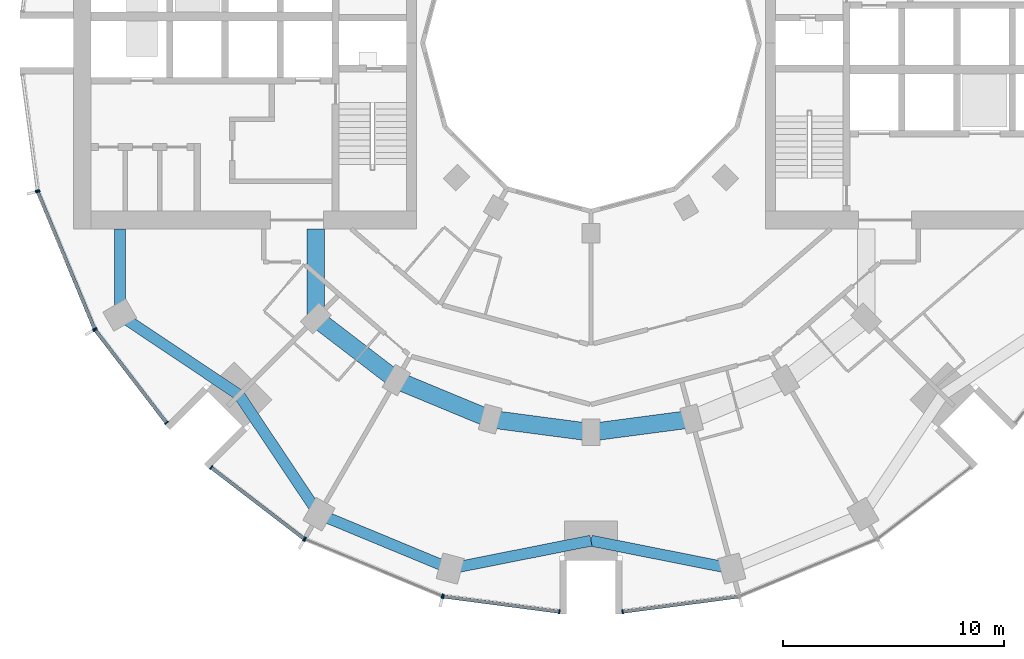
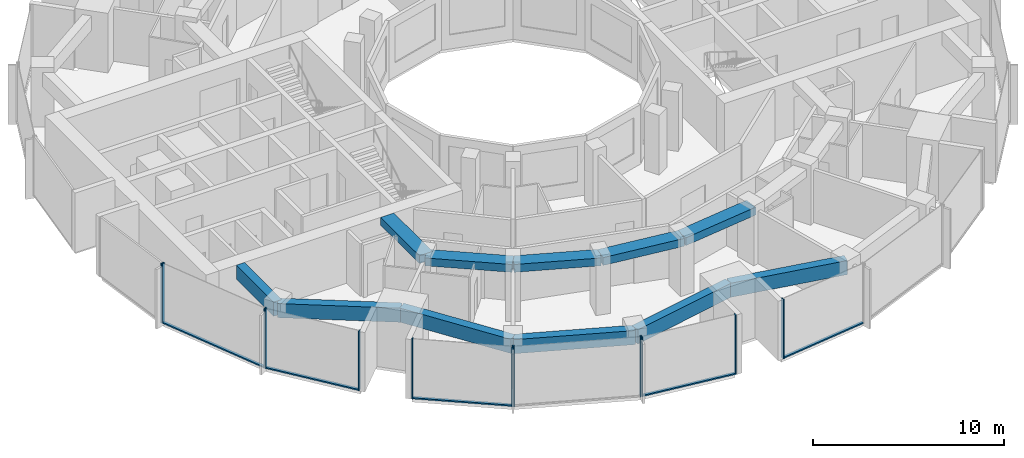
# One storey, part 2 of 15: 17 members, 11 beams, 7 elements without a shape of their own.
"""IFC4 building model written with IfcOpenShell, lengths in metres."""

from ifc_helpers import new_model, si_unit, direction, frame, origin, origin_2d, place, context, subcontext, project, spatial, rectangle, extrude, material, layer, layer_set, material_profile, profile_set, type_object, element, aggregate, save


model = new_model("IFC4")

# Units and contexts
model_context = context("Model", 3, precision=1e-05, world=origin(), true_north=direction((0.0, 1.0)))
body_context = subcontext(model_context, "Body", "Model", "MODEL_VIEW")
ifc_project = project(units=[si_unit("LENGTHUNIT", "METRE"), si_unit("AREAUNIT", "SQUARE_METRE"), si_unit("VOLUMEUNIT", "CUBIC_METRE"), si_unit("PLANEANGLEUNIT", "RADIAN"), si_unit("MASSUNIT", "GRAM", prefix="KILO")], contexts=[model_context])

# Site, building, storey
site_placement = place(None, origin())
site = spatial("IfcSite", under=ifc_project, at=site_placement, CompositionType="ELEMENT")
building_placement = place(site_placement, origin())
building = spatial("IfcBuilding", under=site, at=building_placement, Name="Torre Brocal", CompositionType="ELEMENT")
storey_placement = place(building_placement, frame((0.0, 0.0, 101.39990234375)))
storey = spatial("IfcBuildingStorey", under=building, at=storey_placement, Name="L23", CompositionType="ELEMENT", Elevation=101.39990234375)

# Curtain wall, members
ifc_material_1 = material(Name="Aluminium and glass", Category="aluminium")
ifc_layer_1 = layer(ifc_material_1, 0.199951171875)
ifc_layer_set_1 = layer_set([ifc_layer_1], Name="Aluminium and glass")
curtain_wall_type_1 = type_object("IfcCurtainWallType", Name="CW-1 CURTAIN WALL 3800 HIGH", PredefinedType="NOTDEFINED", material=ifc_layer_set_1)
curtain_wall_1_placement = place(storey_placement, origin())
curtain_wall_1 = element("IfcCurtainWall", 1, at=curtain_wall_1_placement, inside=storey, type_object=curtain_wall_type_1, Name="CW-1 RUN 14", PredefinedType="NOTDEFINED")
ifc_material_2 = material(Name="Aluminium, dark anodised", Category="aluminium")
ifc_material_profile_1 = material_profile(ifc_material_2, rectangle(XDim=0.199951171875, YDim=0.06005859375, at=origin_2d()), Name="CW-1 MULLION 60X200")
ifc_profile_set_1 = profile_set([ifc_material_profile_1], Name="Aluminium, dark anodised")
member_type_1 = type_object("IfcMemberType", Name="CW-1 MULLION 60X200", PredefinedType="MULLION", material=ifc_profile_set_1)
member_1_placement = place(storey_placement, frame((54.994873046875, 68.26904296875, 0.0), z_axis=(0.0, 0.0, 1.0), x_axis=(0.923879532525, 0.382683432333, 0.0)))
member_1 = element("IfcMember", 2, at=member_1_placement, type_object=member_type_1, Name="CW1-1 mullion 1", PredefinedType="MULLION", context=body_context, shape_type="SweptSolid", body=[
    extrude(rectangle(XDim=0.199951171875, YDim=0.06005859375, at=origin_2d()), origin(), (0.0, 0.0, 1.0), 3.800048828125),
])
member_2_placement = place(storey_placement, frame((57.559326171875, 62.078125, 0.0), z_axis=(0.0, 0.0, 1.0), x_axis=(0.923879532525, 0.382683432333, 0.0)))
member_2 = element("IfcMember", 3, at=member_2_placement, type_object=member_type_1, Name="CW1-1 mullion 2", PredefinedType="MULLION", context=body_context, shape_type="SweptSolid", body=[
    extrude(rectangle(XDim=0.199951171875, YDim=0.06005859375, at=origin_2d()), origin(), (0.0, 0.0, 1.0), 3.800048828125),
])

curtain_wall_2_placement = place(storey_placement, origin())
curtain_wall_2 = element("IfcCurtainWall", 4, at=curtain_wall_2_placement, inside=storey, type_object=curtain_wall_type_1, Name="CW-1 RUN 15", PredefinedType="NOTDEFINED")
member_3_placement = place(storey_placement, frame((57.5888671875, 62.026611328125, 0.0), z_axis=(0.0, 0.0, 1.0), x_axis=(0.793353340259, 0.60876142905, 0.0)))
member_3 = element("IfcMember", 5, at=member_3_placement, type_object=member_type_1, Name="CW1-1 mullion 1", PredefinedType="MULLION", context=body_context, shape_type="SweptSolid", body=[
    extrude(rectangle(XDim=0.199951171875, YDim=0.06005859375, at=origin_2d()), origin(), (0.0, 0.0, 1.0), 3.800048828125),
])
member_4_placement = place(storey_placement, frame((60.80859375, 57.83056640625, 0.0), z_axis=(0.0, 0.0, 1.0), x_axis=(0.793353340259, 0.60876142905, 0.0)))
member_4 = element("IfcMember", 6, at=member_4_placement, type_object=member_type_1, Name="CW1-1 mullion 2", PredefinedType="MULLION", context=body_context, shape_type="SweptSolid", body=[
    extrude(rectangle(XDim=0.199951171875, YDim=0.06005859375, at=origin_2d()), origin(), (0.0, 0.0, 1.0), 3.800048828125),
])

curtain_wall_3_placement = place(storey_placement, origin())
curtain_wall_3 = element("IfcCurtainWall", 7, at=curtain_wall_3_placement, inside=storey, type_object=curtain_wall_type_1, Name="CW-1 RUN 16", PredefinedType="NOTDEFINED")
member_5_placement = place(storey_placement, frame((62.83056640625, 55.80859375, 0.0), z_axis=(0.0, 0.0, 1.0), x_axis=(0.60876142905, 0.793353340259, 0.0)))
member_5 = element("IfcMember", 8, at=member_5_placement, type_object=member_type_1, Name="CW1-1 mullion 1", PredefinedType="MULLION", context=body_context, shape_type="SweptSolid", body=[
    extrude(rectangle(XDim=0.199951171875, YDim=0.06005859375, at=origin_2d()), origin(), (0.0, 0.0, 1.0), 3.800048828125),
])
member_6_placement = place(storey_placement, frame((67.026611328125, 52.5888671875, 0.0), z_axis=(0.0, 0.0, 1.0), x_axis=(0.60876142905, 0.793353340259, 0.0)))
member_6 = element("IfcMember", 9, at=member_6_placement, type_object=member_type_1, Name="CW1-1 mullion 2", PredefinedType="MULLION", context=body_context, shape_type="SweptSolid", body=[
    extrude(rectangle(XDim=0.199951171875, YDim=0.06005859375, at=origin_2d()), origin(), (0.0, 0.0, 1.0), 3.800048828125),
])

curtain_wall_4_placement = place(storey_placement, origin())
curtain_wall_4 = element("IfcCurtainWall", 10, at=curtain_wall_4_placement, inside=storey, type_object=curtain_wall_type_1, Name="CW-1 RUN 17", PredefinedType="NOTDEFINED")
member_7_placement = place(storey_placement, frame((67.078125, 52.559326171875, 0.0), z_axis=(0.0, 0.0, 1.0), x_axis=(0.382683432333, 0.923879532525, 0.0)))
member_7 = element("IfcMember", 11, at=member_7_placement, type_object=member_type_1, Name="CW1-1 mullion 1", PredefinedType="MULLION", context=body_context, shape_type="SweptSolid", body=[
    extrude(rectangle(XDim=0.199951171875, YDim=0.06005859375, at=origin_2d()), origin(), (0.0, 0.0, 1.0), 3.800048828125),
])
member_8_placement = place(storey_placement, frame((73.26904296875, 49.994873046875, 0.0), z_axis=(0.0, 0.0, 1.0), x_axis=(0.382683432333, 0.923879532525, 0.0)))
member_8 = element("IfcMember", 12, at=member_8_placement, type_object=member_type_1, Name="CW1-1 mullion 2", PredefinedType="MULLION", context=body_context, shape_type="SweptSolid", body=[
    extrude(rectangle(XDim=0.199951171875, YDim=0.06005859375, at=origin_2d()), origin(), (0.0, 0.0, 1.0), 3.800048828125),
])
aggregate(curtain_wall_4, [member_7, member_8])

curtain_wall_5_placement = place(storey_placement, origin())
curtain_wall_5 = element("IfcCurtainWall", 13, at=curtain_wall_5_placement, inside=storey, type_object=curtain_wall_type_1, Name="CW-1 RUN 18", PredefinedType="NOTDEFINED")
member_9_placement = place(storey_placement, frame((73.32666015625, 49.9794921875, 0.0), z_axis=(0.0, 0.0, 1.0), x_axis=(0.13052619222, 0.991444861374, 0.0)))
member_9 = element("IfcMember", 14, at=member_9_placement, type_object=member_type_1, Name="CW1-1 mullion 1", PredefinedType="MULLION", context=body_context, shape_type="SweptSolid", body=[
    extrude(rectangle(XDim=0.199951171875, YDim=0.06005859375, at=origin_2d()), origin(), (0.0, 0.0, 1.0), 3.800048828125),
])
member_10_placement = place(storey_placement, frame((78.5703125, 49.2890625, 0.0), z_axis=(0.0, 0.0, 1.0), x_axis=(0.13052619222, 0.991444861374, 0.0)))
member_10 = element("IfcMember", 15, at=member_10_placement, type_object=member_type_1, Name="CW1-1 mullion 2", PredefinedType="MULLION", context=body_context, shape_type="SweptSolid", body=[
    extrude(rectangle(XDim=0.199951171875, YDim=0.06005859375, at=origin_2d()), origin(), (0.0, 0.0, 1.0), 3.800048828125),
])

# Curtain wall, member
curtain_wall_6_placement = place(storey_placement, origin())
curtain_wall_6 = element("IfcCurtainWall", 16, at=curtain_wall_6_placement, inside=storey, type_object=curtain_wall_type_1, Name="CW-1 RUN 19", PredefinedType="NOTDEFINED")
member_11_placement = place(storey_placement, frame((81.4296875, 49.2890625, 0.0), z_axis=(0.0, 0.0, 1.0), x_axis=(-0.13052619222, 0.991444861374, 0.0)))
member_11 = element("IfcMember", 17, at=member_11_placement, type_object=member_type_1, Name="CW1-1 mullion 1", PredefinedType="MULLION", context=body_context, shape_type="SweptSolid", body=[
    extrude(rectangle(XDim=0.199951171875, YDim=0.06005859375, at=origin_2d()), origin(), (0.0, 0.0, 1.0), 3.800048828125),
])

# Member
ifc_material_3 = material(Name="Aluminium, dark anodised", Category="aluminium")
ifc_material_profile_2 = material_profile(ifc_material_3, rectangle(XDim=0.159912109375, YDim=0.080078125, at=origin_2d()), Name="CW-1 TRANSOM 160X80")
ifc_profile_set_2 = profile_set([ifc_material_profile_2], Name="Aluminium, dark anodised")
member_type_2 = type_object("IfcMemberType", Name="CW-1 TRANSOM 160X80", PredefinedType="USERDEFINED", material=ifc_profile_set_2)
member_12_placement = place(storey_placement, frame((55.00634765625, 68.241455078125, 0.0400390625), z_axis=(0.38266457234, -0.923887344364, 0.0), x_axis=(0.923887344364, 0.38266457234, 0.0)))
member_12 = element("IfcMember", 18, at=member_12_placement, type_object=member_type_2, Name="CW1-1 transom 1.1", ObjectType="TRANSOM", PredefinedType="USERDEFINED", context=body_context, shape_type="SweptSolid", body=[
    extrude(rectangle(XDim=0.159912109375, YDim=0.080078125, at=origin_2d()), origin(), (0.0, 0.0, 1.0), 6.640869140625),
])

aggregate(curtain_wall_1, [member_1, member_2, member_12])

member_13_placement = place(storey_placement, frame((57.607177734375, 62.0029296875, 0.0400390625), z_axis=(0.60874908096, -0.79336281513, 0.0), x_axis=(0.79336281513, 0.60874908096, 0.0)))
member_13 = element("IfcMember", 19, at=member_13_placement, type_object=member_type_2, Name="CW1-1 transom 1.1", ObjectType="TRANSOM", PredefinedType="USERDEFINED", context=body_context, shape_type="SweptSolid", body=[
    extrude(rectangle(XDim=0.159912109375, YDim=0.080078125, at=origin_2d()), origin(), (0.0, 0.0, 1.0), 5.22900390625),
])

aggregate(curtain_wall_2, [member_3, member_4, member_13])

member_14_placement = place(storey_placement, frame((62.8544921875, 55.790283203125, 0.0400390625), z_axis=(0.79336281513, -0.60874908096, 0.0), x_axis=(0.60874908096, 0.79336281513, 0.0)))
member_14 = element("IfcMember", 20, at=member_14_placement, type_object=member_type_2, Name="CW1-1 transom 1.1", ObjectType="TRANSOM", PredefinedType="USERDEFINED", context=body_context, shape_type="SweptSolid", body=[
    extrude(rectangle(XDim=0.159912109375, YDim=0.080078125, at=origin_2d()), origin(), (0.0, 0.0, 1.0), 5.22900390625),
])

aggregate(curtain_wall_3, [member_5, member_6, member_14])

member_15_placement = place(storey_placement, frame((73.356201171875, 49.9755859375, 0.0400390625), z_axis=(0.991442690863, -0.130542677827, 0.0), x_axis=(0.130542677827, 0.991442690863, 0.0)))
member_15 = element("IfcMember", 21, at=member_15_placement, type_object=member_type_2, Name="CW1-1 transom 1.1", ObjectType="TRANSOM", PredefinedType="USERDEFINED", context=body_context, shape_type="SweptSolid", body=[
    extrude(rectangle(XDim=0.159912109375, YDim=0.080078125, at=origin_2d()), origin(), (0.0, 0.0, 1.0), 5.22900390625),
])

aggregate(curtain_wall_5, [member_9, member_10, member_15])

member_16_placement = place(storey_placement, frame((81.45947265625, 49.29296875, 0.0400390625), z_axis=(0.991442690863, 0.130542677827, 0.0), x_axis=(-0.130542677827, 0.991442690863, 0.0)))
member_16 = element("IfcMember", 22, at=member_16_placement, type_object=member_type_2, Name="CW1-1 transom 1.1", ObjectType="TRANSOM", PredefinedType="USERDEFINED", context=body_context, shape_type="SweptSolid", body=[
    extrude(rectangle(XDim=0.159912109375, YDim=0.080078125, at=origin_2d()), origin(), (0.0, 0.0, 1.0), 5.22900390625),
])

aggregate(curtain_wall_6, [member_11, member_16])

# Curtain wall, member
ifc_material_4 = material(Name="Aluminium and glass", Category="aluminium")
ifc_layer_2 = layer(ifc_material_4, 0.199951171875)
ifc_layer_set_2 = layer_set([ifc_layer_2], Name="Aluminium and glass")
curtain_wall_type_2 = type_object("IfcCurtainWallType", Name="CW-1B CURTAIN WALL 3800 HIGH", PredefinedType="NOTDEFINED", material=ifc_layer_set_2)
curtain_wall_7_placement = place(storey_placement, origin())
curtain_wall_7 = element("IfcCurtainWall", 23, at=curtain_wall_7_placement, inside=storey, type_object=curtain_wall_type_2, Name="CW-1B RUN 13", PredefinedType="NOTDEFINED")
ifc_material_5 = material(Name="Aluminium, dark anodised", Category="aluminium")
ifc_material_profile_3 = material_profile(ifc_material_5, rectangle(XDim=0.199951171875, YDim=0.06005859375, at=origin_2d()), Name="CW-1B MULLION 60X200")
ifc_profile_set_3 = profile_set([ifc_material_profile_3], Name="Aluminium, dark anodised")
member_type_3 = type_object("IfcMemberType", Name="CW-1B MULLION 60X200", PredefinedType="MULLION", material=ifc_profile_set_3)
member_17_placement = place(storey_placement, frame((54.9794921875, 68.32666015625, 0.0), z_axis=(0.0, 0.0, 1.0), x_axis=(0.991444861374, 0.13052619222, 0.0)))
member_17 = element("IfcMember", 24, at=member_17_placement, type_object=member_type_3, Name="CW1B-1 mullion 2", PredefinedType="MULLION", context=body_context, shape_type="SweptSolid", body=[
    extrude(rectangle(XDim=0.199951171875, YDim=0.06005859375, at=origin_2d()), origin(), (0.0, 0.0, 1.0), 3.800048828125),
])
aggregate(curtain_wall_7, [member_17])

# Beams
ifc_material_6 = material(Name="Concrete C50", Category="concrete")
ifc_material_profile_4 = material_profile(ifc_material_6, rectangle(XDim=0.800048828125, YDim=0.5, at=origin_2d()), Name="RC 800X500")
ifc_profile_set_4 = profile_set([ifc_material_profile_4], Name="Concrete C50")
beam_type_1 = type_object("IfcBeamType", Name="RC BEAM 800X500 C50 TOP 3480", PredefinedType="BEAM", material=ifc_profile_set_4)
beam_1_placement = place(storey_placement, frame((67.554931640625, 62.554931640625, 3.22998046875), z_axis=(0.0, 1.0, 0.0), x_axis=(-1.0, 0.0, 0.0)))
element("IfcBeam", 25, at=beam_1_placement, inside=storey, type_object=beam_type_1, Name="Beam BT-19", PredefinedType="BEAM", context=body_context, shape_type="SweptSolid", body=[
    extrude(rectangle(XDim=0.800048828125, YDim=0.5, at=origin_2d()), origin(), (0.0, 0.0, 1.0), 4.045166015625),
])
beam_2_placement = place(storey_placement, frame((67.554931640625, 62.554931640625, 3.22998046875), z_axis=(0.793358265959, -0.6087550097, 0.0), x_axis=(0.6087550097, 0.793358265959, 0.0)))
element("IfcBeam", 26, at=beam_2_placement, inside=storey, type_object=beam_type_1, Name="Beam BT-19", PredefinedType="BEAM", context=body_context, shape_type="SweptSolid", body=[
    extrude(rectangle(XDim=0.800048828125, YDim=0.5, at=origin_2d()), origin(), (0.0, 0.0, 1.0), 4.594482421875),
])
beam_3_placement = place(storey_placement, frame((71.199951171875, 59.758056640625, 3.22998046875), z_axis=(0.923878240166, -0.382686552348, 0.0), x_axis=(0.382686552348, 0.923878240166, 0.0)))
element("IfcBeam", 27, at=beam_3_placement, inside=storey, type_object=beam_type_1, Name="Beam BT-19", PredefinedType="BEAM", context=body_context, shape_type="SweptSolid", body=[
    extrude(rectangle(XDim=0.800048828125, YDim=0.5, at=origin_2d()), origin(), (0.0, 0.0, 1.0), 4.5947265625),
])
for number, where, z_axis, x_axis, name in (
    (28, (75.44482421875, 57.999755859375, 3.22998046875), (0.991440544449, -0.130558978332, 0.0), (0.130558978332, 0.991440544449, 0.0), "Beam BT-19"),
    (29, (80.0, 57.39990234375, 3.22998046875), (0.991440544449, 0.130558978332, 0.0), (-0.130558978332, 0.991440544449, 0.0), "Beam BT-19"),
):
    element("IfcBeam", number, at=place(storey_placement, frame(where, z_axis=z_axis, x_axis=x_axis)), inside=storey, type_object=beam_type_1, Name=name, PredefinedType="BEAM", context=body_context, shape_type="SweptSolid", body=[
        extrude(rectangle(XDim=0.800048828125, YDim=0.5, at=origin_2d()), origin(), (0.0, 0.0, 1.0), 4.594482421875),
    ])
ifc_material_7 = material(Name="Concrete C50", Category="concrete")
ifc_material_profile_5 = material_profile(ifc_material_7, rectangle(XDim=0.5, YDim=0.89990234375, at=origin_2d()), Name="RC 500X900")
ifc_profile_set_5 = profile_set([ifc_material_profile_5], Name="Concrete C50")
beam_type_2 = type_object("IfcBeamType", Name="RC SPANDREL BEAM 500X900 C50 TOP 3480", PredefinedType="SPANDREL", material=ifc_profile_set_5)
beam_4_placement = place(storey_placement, frame((58.69580078125, 62.699951171875, 3.030029296875), z_axis=(0.0, 1.0, 0.0), x_axis=(-1.0, 0.0, 0.0)))
element("IfcBeam", 30, at=beam_4_placement, inside=storey, type_object=beam_type_2, Name="Beam BT-20", PredefinedType="SPANDREL", context=body_context, shape_type="SweptSolid", body=[
    extrude(rectangle(XDim=0.5, YDim=0.89990234375, at=origin_2d()), origin(), (0.0, 0.0, 1.0), 3.900146484375),
])
for number, where, z_axis, x_axis, name in (
    (31, (58.69580078125, 62.699951171875, 3.030029296875), (0.831076844476, -0.556157602282, 0.0), (0.556157602282, 0.831076844476, 0.0), "Beam BT-20"),
    (32, (64.090087890625, 59.090087890625, 3.030029296875), (0.556157602282, -0.831076844476, 0.0), (0.831076844476, 0.556157602282, 0.0), "Beam BT-20"),
):
    element("IfcBeam", number, at=place(storey_placement, frame(where, z_axis=z_axis, x_axis=x_axis)), inside=storey, type_object=beam_type_2, Name=name, PredefinedType="SPANDREL", context=body_context, shape_type="SweptSolid", body=[
        extrude(rectangle(XDim=0.5, YDim=0.89990234375, at=origin_2d()), origin(), (0.0, 0.0, 1.0), 6.49072265625),
    ])
beam_5_placement = place(storey_placement, frame((67.699951171875, 53.69580078125, 3.030029296875), z_axis=(0.923882462513, -0.382676358639, 0.0), x_axis=(0.382676358639, 0.923882462513, 0.0)))
element("IfcBeam", 33, at=beam_5_placement, inside=storey, type_object=beam_type_2, Name="Beam BT-20", PredefinedType="SPANDREL", context=body_context, shape_type="SweptSolid", body=[
    extrude(rectangle(XDim=0.5, YDim=0.89990234375, at=origin_2d()), origin(), (0.0, 0.0, 1.0), 6.421875),
])
for number, where, z_axis, x_axis, name in (
    (34, (73.633056640625, 51.23828125, 3.030029296875), (0.980924907484, 0.194387051723, 0.0), (-0.194387051723, 0.980924907484, 0.0), "Beam BT-20"),
    (35, (80.0, 52.5, 3.030029296875), (0.980924907484, -0.194387051723, 0.0), (0.194387051723, 0.980924907484, 0.0), "Beam BT-20"),
):
    element("IfcBeam", number, at=place(storey_placement, frame(where, z_axis=z_axis, x_axis=x_axis)), inside=storey, type_object=beam_type_2, Name=name, PredefinedType="SPANDREL", context=body_context, shape_type="SweptSolid", body=[
        extrude(rectangle(XDim=0.5, YDim=0.89990234375, at=origin_2d()), origin(), (0.0, 0.0, 1.0), 6.49072265625),
    ])

save(model, "model.ifc")
